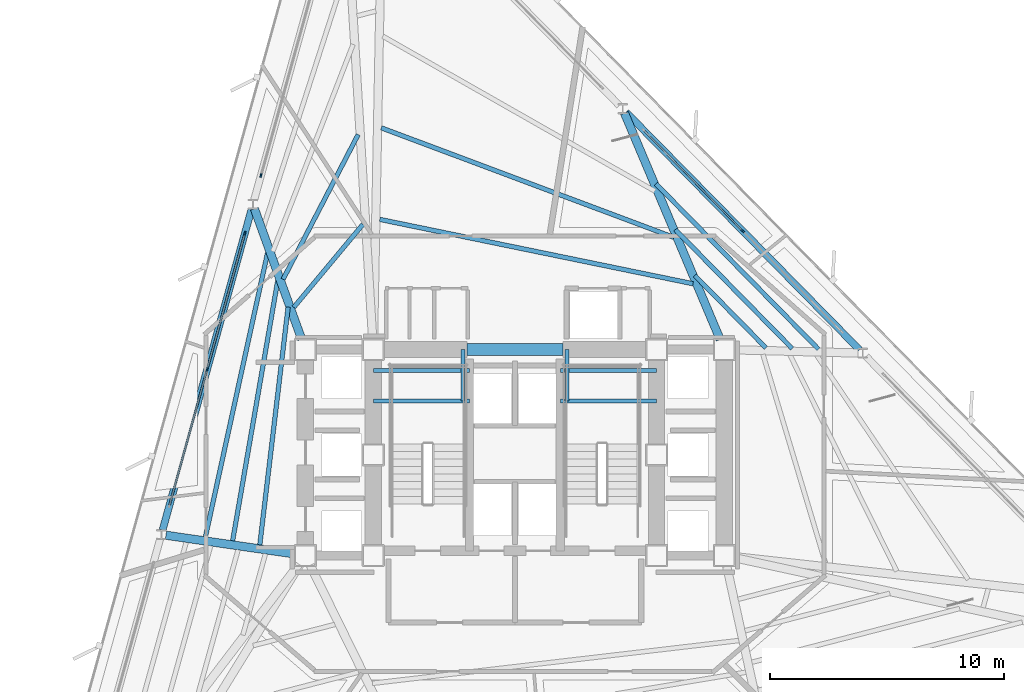
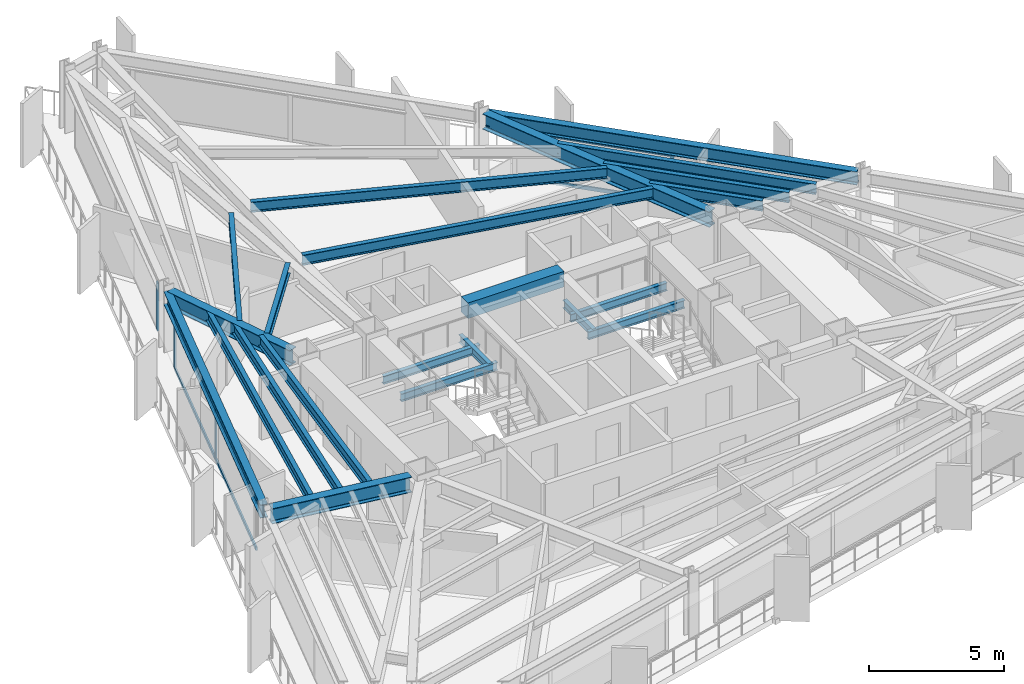
# One storey, part 3 of 11: 22 beams, 10 members, 3 elements without a shape of their own.
"""IFC4 building model written with IfcOpenShell, lengths in metres."""

from ifc_helpers import new_model, si_unit, direction, frame, origin, origin_2d, place, context, subcontext, project, spatial, rectangle, i_section, extrude, material, layer, layer_set, material_profile, profile_set, type_object, element, aggregate, save


model = new_model("IFC4")

# Units and contexts
model_context = context("Model", 3, precision=1e-05, world=origin(), true_north=direction((0.0, 1.0)))
body_context = subcontext(model_context, "Body", "Model", "MODEL_VIEW")
ifc_project = project(units=[si_unit("LENGTHUNIT", "METRE"), si_unit("AREAUNIT", "SQUARE_METRE"), si_unit("VOLUMEUNIT", "CUBIC_METRE"), si_unit("PLANEANGLEUNIT", "RADIAN"), si_unit("MASSUNIT", "GRAM", prefix="KILO")], contexts=[model_context])

# Site, building, storey
site_placement = place(None, origin())
site = spatial("IfcSite", under=ifc_project, at=site_placement, CompositionType="ELEMENT")
building_placement = place(site_placement, origin())
building = spatial("IfcBuilding", under=site, at=building_placement, Name="Rocaltana Carrier Exchange", CompositionType="ELEMENT")
storey_placement = place(building_placement, frame((0.0, 0.0, 91.679931640625)))
storey = spatial("IfcBuildingStorey", under=building, at=storey_placement, Name="L28", CompositionType="ELEMENT", Elevation=91.679931640625)

# Curtain wall, member
ifc_material_1 = material(Name="Aluminium 6063-T6", Category="aluminium")
ifc_layer = layer(ifc_material_1, 0.1650390625)
ifc_layer_set = layer_set([ifc_layer], Name="Aluminium 6063-T6")
curtain_wall_type = type_object("IfcCurtainWallType", Name="Lower-Mid Stepped Curtain Wall CW-02", PredefinedType="NOTDEFINED", material=ifc_layer_set)
curtain_wall_1_placement = place(storey_placement, origin())
curtain_wall_1 = element("IfcCurtainWall", 1, at=curtain_wall_1_placement, inside=storey, type_object=curtain_wall_type, Name="L28 CW-02 Run CW-L28-F1S2", PredefinedType="NOTDEFINED")
ifc_material_2 = material(Name="Aluminium 6063-T6", Category="aluminium")
ifc_material_profile_1 = material_profile(ifc_material_2, rectangle(XDim=0.06494140625, YDim=0.1650390625, at=origin_2d()), Name="AL-65X165")
ifc_profile_set_1 = profile_set([ifc_material_profile_1], Name="Aluminium 6063-T6")
member_type_1 = type_object("IfcMemberType", Name="CW-02 Mullion AL-65X165", PredefinedType="MULLION", material=ifc_profile_set_1)
member_1_placement = place(storey_placement, frame((9.732666015625, 9.564453125, 0.0), z_axis=(0.0, 0.0, 1.0), x_axis=(-0.713244696676, -0.700915118017, 0.0)))
member_1 = element("IfcMember", 2, at=member_1_placement, type_object=member_type_1, Name="CW-02 mullion 2", PredefinedType="MULLION", context=body_context, shape_type="SweptSolid", body=[
    extrude(rectangle(XDim=0.06494140625, YDim=0.1650390625, at=origin_2d()), origin(), (0.0, 0.0, 1.0), 2.16796875),
])

curtain_wall_2_placement = place(storey_placement, origin())
curtain_wall_2 = element("IfcCurtainWall", 3, at=curtain_wall_2_placement, inside=storey, type_object=curtain_wall_type, Name="L28 CW-02 Run CW-L28-F2S1", PredefinedType="NOTDEFINED")
member_2_placement = place(storey_placement, frame((-10.851318359375, 11.93310546875, 0.0), z_axis=(0.0, 0.0, 1.0), x_axis=(0.96362846453, -0.267245546918, 0.0)))
member_2 = element("IfcMember", 4, at=member_2_placement, type_object=member_type_1, Name="CW-02 mullion 3", PredefinedType="MULLION", context=body_context, shape_type="SweptSolid", body=[
    extrude(rectangle(XDim=0.06494140625, YDim=0.1650390625, at=origin_2d()), origin(), (0.0, 0.0, 1.0), 2.16796875),
])
aggregate(curtain_wall_2, [member_2])

# Curtain wall, members
curtain_wall_3_placement = place(storey_placement, origin())
curtain_wall_3 = element("IfcCurtainWall", 5, at=curtain_wall_3_placement, inside=storey, type_object=curtain_wall_type, Name="L28 CW-02 Run CW-L28-F2S2", PredefinedType="NOTDEFINED")
member_3_placement = place(storey_placement, frame((-11.536865234375, 9.46142578125, 0.0), z_axis=(0.0, 0.0, 1.0), x_axis=(0.963630586954, -0.267237893807, 0.0)))
member_3 = element("IfcMember", 6, at=member_3_placement, type_object=member_type_1, Name="CW-02 mullion 1", PredefinedType="MULLION", context=body_context, shape_type="SweptSolid", body=[
    extrude(rectangle(XDim=0.06494140625, YDim=0.1650390625, at=origin_2d()), origin(), (0.0, 0.0, 1.0), 2.16796875),
])
member_4_placement = place(storey_placement, frame((-13.1494140625, 3.646728515625, 0.0), z_axis=(0.0, 0.0, 1.0), x_axis=(0.963630586954, -0.267237893807, 0.0)))
member_4 = element("IfcMember", 7, at=member_4_placement, type_object=member_type_1, Name="CW-02 mullion 2", PredefinedType="MULLION", context=body_context, shape_type="SweptSolid", body=[
    extrude(rectangle(XDim=0.06494140625, YDim=0.1650390625, at=origin_2d()), origin(), (0.0, 0.0, 1.0), 2.16796875),
])

# Member
ifc_material_3 = material(Name="Aluminium 6063-T6", Category="aluminium")
ifc_material_profile_2 = material_profile(ifc_material_3, rectangle(XDim=0.06494140625, YDim=0.1650390625, at=origin_2d()), Name="AL-65X165")
ifc_profile_set_2 = profile_set([ifc_material_profile_2], Name="Aluminium 6063-T6")
member_type_2 = type_object("IfcMemberType", Name="CW-02 Transom AL-65X165", PredefinedType="USERDEFINED", material=ifc_profile_set_2)
member_5_placement = place(storey_placement, frame((9.7099609375, 9.587646484375, 0.032470703125), z_axis=(-0.700924352217, 0.713235621985, 0.0), x_axis=(-0.713235621985, -0.700924352217, 0.0)))
member_5 = element("IfcMember", 8, at=member_5_placement, type_object=member_type_2, Name="CW-02 transom 2.1", ObjectType="TRANSOM", PredefinedType="USERDEFINED", context=body_context, shape_type="SweptSolid", body=[
    extrude(rectangle(XDim=0.06494140625, YDim=0.1650390625, at=origin_2d()), origin(), (0.0, 0.0, 1.0), 5.968994140625),
])

member_6_placement = place(storey_placement, frame((9.7099609375, 9.587646484375, 2.135498046875), z_axis=(-0.700924352217, 0.713235621985, 0.0), x_axis=(-0.713235621985, -0.700924352217, 0.0)))
member_6 = element("IfcMember", 9, at=member_6_placement, type_object=member_type_2, Name="CW-02 transom 2.2", ObjectType="TRANSOM", PredefinedType="USERDEFINED", context=body_context, shape_type="SweptSolid", body=[
    extrude(rectangle(XDim=0.06494140625, YDim=0.1650390625, at=origin_2d()), origin(), (0.0, 0.0, 1.0), 5.968994140625),
])

aggregate(curtain_wall_1, [member_1, member_5, member_6])

member_7_placement = place(storey_placement, frame((-11.54541015625, 9.43017578125, 0.032470703125), z_axis=(-0.267236720875, -0.963630912235, 0.0), x_axis=(0.963630912235, -0.267236720875, 0.0)))
member_7 = element("IfcMember", 10, at=member_7_placement, type_object=member_type_2, Name="CW-02 transom 1.1", ObjectType="TRANSOM", PredefinedType="USERDEFINED", context=body_context, shape_type="SweptSolid", body=[
    extrude(rectangle(XDim=0.06494140625, YDim=0.1650390625, at=origin_2d()), origin(), (0.0, 0.0, 1.0), 5.96923828125),
])

member_8_placement = place(storey_placement, frame((-11.54541015625, 9.43017578125, 2.135498046875), z_axis=(-0.267236720875, -0.963630912235, 0.0), x_axis=(0.963630912235, -0.267236720875, 0.0)))
member_8 = element("IfcMember", 11, at=member_8_placement, type_object=member_type_2, Name="CW-02 transom 1.2", ObjectType="TRANSOM", PredefinedType="USERDEFINED", context=body_context, shape_type="SweptSolid", body=[
    extrude(rectangle(XDim=0.06494140625, YDim=0.1650390625, at=origin_2d()), origin(), (0.0, 0.0, 1.0), 5.96923828125),
])

member_9_placement = place(storey_placement, frame((-13.157958984375, 3.615234375, 0.032470703125), z_axis=(-0.26724725359, -0.963627991213, 0.0), x_axis=(0.963627991213, -0.26724725359, 0.0)))
member_9 = element("IfcMember", 12, at=member_9_placement, type_object=member_type_2, Name="CW-02 transom 2.1", ObjectType="TRANSOM", PredefinedType="USERDEFINED", context=body_context, shape_type="SweptSolid", body=[
    extrude(rectangle(XDim=0.06494140625, YDim=0.1650390625, at=origin_2d()), origin(), (0.0, 0.0, 1.0), 5.968994140625),
])

member_10_placement = place(storey_placement, frame((-13.157958984375, 3.615234375, 2.135498046875), z_axis=(-0.26724725359, -0.963627991213, 0.0), x_axis=(0.963627991213, -0.26724725359, 0.0)))
member_10 = element("IfcMember", 13, at=member_10_placement, type_object=member_type_2, Name="CW-02 transom 2.2", ObjectType="TRANSOM", PredefinedType="USERDEFINED", context=body_context, shape_type="SweptSolid", body=[
    extrude(rectangle(XDim=0.06494140625, YDim=0.1650390625, at=origin_2d()), origin(), (0.0, 0.0, 1.0), 5.968994140625),
])

aggregate(curtain_wall_3, [member_3, member_4, member_7, member_8, member_9, member_10])

# Beams
ifc_material_4 = material(Name="Concrete C60/75", Category="concrete")
ifc_material_profile_3 = material_profile(ifc_material_4, rectangle(XDim=0.5, YDim=0.699951171875, at=origin_2d()), Name="RC-BM-500X700")
ifc_profile_set_3 = profile_set([ifc_material_profile_3], Name="Concrete C60/75")
beam_type_1 = type_object("IfcBeamType", Name="Core Coupling Lintel 500x700", PredefinedType="LINTEL", material=ifc_profile_set_3)
beam_1_placement = place(storey_placement, frame((-2.050048828125, 4.5, 2.43798828125), z_axis=(1.0, 0.0, 0.0), x_axis=(0.0, 1.0, 0.0)))
element("IfcBeam", 14, at=beam_1_placement, inside=storey, type_object=beam_type_1, Name="L28 Core Coupling Lintel CL-N", PredefinedType="LINTEL", context=body_context, shape_type="SweptSolid", body=[
    extrude(rectangle(XDim=0.5, YDim=0.699951171875, at=origin_2d()), origin(), (0.0, 0.0, 1.0), 4.10009765625),
])
ifc_material_5 = material(Name="Steel S355", Category="steel")
ifc_material_profile_4 = material_profile(ifc_material_5, i_section(OverallWidth=0.172119140625, OverallDepth=0.35791015625, WebThickness=0.0078125, FlangeThickness=0.01318359375, FilletRadius=0.011962890625, at=origin_2d()), Name="W14X38")
ifc_profile_set_4 = profile_set([ifc_material_profile_4], Name="Steel S355")
beam_type_2 = type_object("IfcBeamType", Name="Floor Joist W14X38", PredefinedType="JOIST", material=ifc_profile_set_4)
for number, where, z_axis, x_axis, name in (
    (15, (-6.050048828125, 2.300048828125, 1.14111328125), (1.0, 0.0, 0.0), (0.0, 1.0, 0.0), "L28 ST-1 Landing Carrier 1"),
    (16, (1.93994140625, 2.300048828125, 1.14111328125), (1.0, 0.0, 0.0), (0.0, 1.0, 0.0), "L28 ST-2 Landing Carrier 1"),
    (17, (-6.050048828125, 3.60009765625, 1.14111328125), (1.0, 0.0, 0.0), (0.0, 1.0, 0.0), "L28 ST-1 Landing Carrier 2"),
    (18, (1.93994140625, 3.60009765625, 1.14111328125), (1.0, 0.0, 0.0), (0.0, 1.0, 0.0), "L28 ST-2 Landing Carrier 2"),
):
    element("IfcBeam", number, at=place(storey_placement, frame(where, z_axis=z_axis, x_axis=x_axis)), inside=storey, type_object=beam_type_2, Name=name, PredefinedType="JOIST", context=body_context, shape_type="SweptSolid", body=[
        extrude(i_section(OverallWidth=0.172119140625, OverallDepth=0.35791015625, WebThickness=0.0078125, FlangeThickness=0.01318359375, FilletRadius=0.011962890625, at=origin_2d()), origin(), (0.0, 0.0, 1.0), 4.110107421875),
    ])
for number, where, z_axis, x_axis, name in (
    (19, (-2.219970703125, 2.300048828125, 1.14111328125), (0.0, 1.0, 0.0), (-1.0, 0.0, 0.0), "L28 ST-1 Landing Cross Trimmer"),
    (20, (2.219970703125, 2.300048828125, 1.14111328125), (0.0, 1.0, 0.0), (-1.0, 0.0, 0.0), "L28 ST-2 Landing Cross Trimmer"),
):
    element("IfcBeam", number, at=place(storey_placement, frame(where, z_axis=z_axis, x_axis=x_axis)), inside=storey, type_object=beam_type_2, Name=name, PredefinedType="JOIST", context=body_context, shape_type="SweptSolid", body=[
        extrude(i_section(OverallWidth=0.172119140625, OverallDepth=0.35791015625, WebThickness=0.0078125, FlangeThickness=0.01318359375, FilletRadius=0.011962890625, at=origin_2d()), origin(), (0.0, 0.0, 1.0), 2.199951171875),
    ])
ifc_material_6 = material(Name="Steel S355", Category="steel")
ifc_material_profile_5 = material_profile(ifc_material_6, i_section(OverallWidth=0.193115234375, OverallDepth=0.466064453125, WebThickness=0.011474609375, FlangeThickness=0.01904296875, FilletRadius=0.013916015625, at=origin_2d()), Name="W18X65")
ifc_profile_set_5 = profile_set([ifc_material_profile_5], Name="Steel S355")
beam_type_3 = type_object("IfcBeamType", Name="Floor Joist W18X65", PredefinedType="JOIST", material=ifc_profile_set_5)
beam_2_placement = place(storey_placement, frame((10.72119140625, 4.572998046875, 2.55517578125), z_axis=(-0.700891063864, 0.713268334216, 0.0), x_axis=(-0.713268334216, -0.700891063864, 0.0)))
element("IfcBeam", 21, at=beam_2_placement, inside=storey, type_object=beam_type_3, Name="FJ-L28-02-1", PredefinedType="JOIST", context=body_context, shape_type="SweptSolid", body=[
    extrude(i_section(OverallWidth=0.193115234375, OverallDepth=0.466064453125, WebThickness=0.011474609375, FlangeThickness=0.01904296875, FilletRadius=0.013916015625, at=origin_2d()), origin(), (0.0, 0.0, 1.0), 4.339599609375),
])
beam_3_placement = place(storey_placement, frame((11.844482421875, 4.543701171875, 2.55517578125), z_axis=(-0.700907768136, 0.713251919427, 0.0), x_axis=(-0.713251919427, -0.700907768136, 0.0)))
element("IfcBeam", 22, at=beam_3_placement, inside=storey, type_object=beam_type_3, Name="FJ-L28-02-2", PredefinedType="JOIST", context=body_context, shape_type="SweptSolid", body=[
    extrude(i_section(OverallWidth=0.193115234375, OverallDepth=0.466064453125, WebThickness=0.011474609375, FlangeThickness=0.01904296875, FilletRadius=0.013916015625, at=origin_2d()), origin(), (0.0, 0.0, 1.0), 7.1201171875),
])
beam_4_placement = place(storey_placement, frame((12.967529296875, 4.514404296875, 2.55517578125), z_axis=(-0.700914872746, 0.713244937706, 0.0), x_axis=(-0.713244937706, -0.700914872746, 0.0)))
element("IfcBeam", 23, at=beam_4_placement, inside=storey, type_object=beam_type_3, Name="FJ-L28-02-3", PredefinedType="JOIST", context=body_context, shape_type="SweptSolid", body=[
    extrude(i_section(OverallWidth=0.193115234375, OverallDepth=0.466064453125, WebThickness=0.011474609375, FlangeThickness=0.01904296875, FilletRadius=0.013916015625, at=origin_2d()), origin(), (0.0, 0.0, 1.0), 9.900146484375),
])
beam_5_placement = place(storey_placement, frame((7.608642578125, 7.310791015625, 2.55517578125), z_axis=(-0.979548911699, 0.201206186758, 0.0), x_axis=(-0.201206186758, -0.979548911699, 0.0)))
element("IfcBeam", 24, at=beam_5_placement, inside=storey, type_object=beam_type_3, Name="FJ-L28-03-1", PredefinedType="JOIST", context=body_context, shape_type="SweptSolid", body=[
    extrude(i_section(OverallWidth=0.193115234375, OverallDepth=0.466064453125, WebThickness=0.011474609375, FlangeThickness=0.01904296875, FilletRadius=0.013916015625, at=origin_2d()), origin(), (0.0, 0.0, 1.0), 13.66259765625),
])
beam_6_placement = place(storey_placement, frame((6.790283203125, 9.290283203125, 2.55517578125), z_axis=(-0.936459936045, 0.35077455464, 0.0), x_axis=(-0.35077455464, -0.936459936045, 0.0)))
element("IfcBeam", 25, at=beam_6_placement, inside=storey, type_object=beam_type_3, Name="FJ-L28-03-2", PredefinedType="JOIST", context=body_context, shape_type="SweptSolid", body=[
    extrude(i_section(OverallWidth=0.193115234375, OverallDepth=0.466064453125, WebThickness=0.011474609375, FlangeThickness=0.01904296875, FilletRadius=0.013916015625, at=origin_2d()), origin(), (0.0, 0.0, 1.0), 13.344482421875),
])
beam_7_placement = place(storey_placement, frame((-6.492919921875, 9.848876953125, 2.55517578125), z_axis=(-0.640163577039, -0.768238631307, 0.0), x_axis=(0.768238631307, -0.640163577039, 0.0)))
element("IfcBeam", 26, at=beam_7_placement, inside=storey, type_object=beam_type_3, Name="FJ-L28-05-1", PredefinedType="JOIST", context=body_context, shape_type="SweptSolid", body=[
    extrude(i_section(OverallWidth=0.193115234375, OverallDepth=0.466064453125, WebThickness=0.011474609375, FlangeThickness=0.01904296875, FilletRadius=0.013916015625, at=origin_2d()), origin(), (0.0, 0.0, 1.0), 4.613037109375),
])
beam_8_placement = place(storey_placement, frame((-6.6962890625, 13.68505859375, 2.55517578125), z_axis=(-0.46048496637, -0.887667502924, 0.0), x_axis=(0.887667502924, -0.46048496637, 0.0)))
element("IfcBeam", 27, at=beam_8_placement, inside=storey, type_object=beam_type_3, Name="FJ-L28-05-2", PredefinedType="JOIST", context=body_context, shape_type="SweptSolid", body=[
    extrude(i_section(OverallWidth=0.193115234375, OverallDepth=0.466064453125, WebThickness=0.011474609375, FlangeThickness=0.01904296875, FilletRadius=0.013916015625, at=origin_2d()), origin(), (0.0, 0.0, 1.0), 6.96435546875),
])
beam_9_placement = place(storey_placement, frame((-9.6884765625, 6.312744140625, 2.55517578125), z_axis=(-0.118374284941, -0.992969047184, 0.0), x_axis=(0.992969047184, -0.118374284941, 0.0)))
element("IfcBeam", 28, at=beam_9_placement, inside=storey, type_object=beam_type_3, Name="FJ-L28-06-1", PredefinedType="JOIST", context=body_context, shape_type="SweptSolid", body=[
    extrude(i_section(OverallWidth=0.193115234375, OverallDepth=0.466064453125, WebThickness=0.011474609375, FlangeThickness=0.01904296875, FilletRadius=0.013916015625, at=origin_2d()), origin(), (0.0, 0.0, 1.0), 10.227783203125),
])
beam_10_placement = place(storey_placement, frame((-10.123779296875, 7.49169921875, 2.55517578125), z_axis=(-0.170820187973, -0.985302219312, 0.0), x_axis=(0.985302219312, -0.170820187973, 0.0)))
element("IfcBeam", 29, at=beam_10_placement, inside=storey, type_object=beam_type_3, Name="FJ-L28-06-2", PredefinedType="JOIST", context=body_context, shape_type="SweptSolid", body=[
    extrude(i_section(OverallWidth=0.193115234375, OverallDepth=0.466064453125, WebThickness=0.011474609375, FlangeThickness=0.01904296875, FilletRadius=0.013916015625, at=origin_2d()), origin(), (0.0, 0.0, 1.0), 11.332275390625),
])
beam_11_placement = place(storey_placement, frame((-10.5576171875, 8.67041015625, 2.55517578125), z_axis=(-0.213747702255, -0.976888898381, 0.0), x_axis=(0.976888898381, -0.213747702255, 0.0)))
element("IfcBeam", 30, at=beam_11_placement, inside=storey, type_object=beam_type_3, Name="FJ-L28-06-3", PredefinedType="JOIST", context=body_context, shape_type="SweptSolid", body=[
    extrude(i_section(OverallWidth=0.193115234375, OverallDepth=0.466064453125, WebThickness=0.011474609375, FlangeThickness=0.01904296875, FilletRadius=0.013916015625, at=origin_2d()), origin(), (0.0, 0.0, 1.0), 12.463623046875),
])
ifc_material_7 = material(Name="Steel S355", Category="steel")
ifc_material_profile_6 = material_profile(ifc_material_7, i_section(OverallWidth=0.35498046875, OverallDepth=0.695068359375, WebThickness=0.015380859375, FlangeThickness=0.02490234375, FilletRadius=0.01806640625, at=origin_2d()), Name="W27X146")
ifc_profile_set_6 = profile_set([ifc_material_profile_6], Name="Steel S355")
beam_type_4 = type_object("IfcBeamType", Name="Radial Girder W27X146", PredefinedType="BEAM", material=ifc_profile_set_6)
beam_12_placement = place(storey_placement, frame((8.768310546875, 4.93017578125, 2.440673828125), z_axis=(-0.389283409267, 0.921118031128, 0.0), x_axis=(-0.921118031128, -0.389283409267, 0.0)))
element("IfcBeam", 31, at=beam_12_placement, inside=storey, type_object=beam_type_4, Name="RG-L28-03", PredefinedType="BEAM", context=body_context, shape_type="SweptSolid", body=[
    extrude(i_section(OverallWidth=0.35498046875, OverallDepth=0.695068359375, WebThickness=0.015380859375, FlangeThickness=0.02490234375, FilletRadius=0.01806640625, at=origin_2d()), origin(), (0.0, 0.0, 1.0), 10.49853515625),
])
beam_13_placement = place(storey_placement, frame((-9.10888671875, 4.939208984375, 2.440673828125), z_axis=(-0.340508906611, 0.940241290584, 0.0), x_axis=(-0.940241290584, -0.340508906611, 0.0)))
element("IfcBeam", 32, at=beam_13_placement, inside=storey, type_object=beam_type_4, Name="RG-L28-06", PredefinedType="BEAM", context=body_context, shape_type="SweptSolid", body=[
    extrude(i_section(OverallWidth=0.35498046875, OverallDepth=0.695068359375, WebThickness=0.015380859375, FlangeThickness=0.02490234375, FilletRadius=0.01806640625, at=origin_2d()), origin(), (0.0, 0.0, 1.0), 5.92578125),
])
beam_14_placement = place(storey_placement, frame((-9.412109375, -4.232666015625, 2.440673828125), z_axis=(-0.989566167389, 0.144079146162, 0.0), x_axis=(-0.144079146162, -0.989566167389, 0.0)))
element("IfcBeam", 33, at=beam_14_placement, inside=storey, type_object=beam_type_4, Name="RG-L28-07", PredefinedType="BEAM", context=body_context, shape_type="SweptSolid", body=[
    extrude(i_section(OverallWidth=0.35498046875, OverallDepth=0.695068359375, WebThickness=0.015380859375, FlangeThickness=0.02490234375, FilletRadius=0.01806640625, at=origin_2d()), origin(), (0.0, 0.0, 1.0), 5.554443359375),
])
ifc_material_8 = material(Name="Steel S355", Category="steel")
ifc_material_profile_7 = material_profile(ifc_material_8, i_section(OverallWidth=0.300048828125, OverallDepth=0.60009765625, WebThickness=0.015380859375, FlangeThickness=0.030029296875, FilletRadius=0.027099609375, at=origin_2d()), Name="HEB600")
ifc_profile_set_7 = profile_set([ifc_material_profile_7], Name="Steel S355")
beam_type_5 = type_object("IfcBeamType", Name="Spandrel Edge Beam HEB600", PredefinedType="SPANDREL", material=ifc_profile_set_7)
beam_15_placement = place(storey_placement, frame((14.722412109375, 4.48681640625, 2.488037109375), z_axis=(-0.700906711307, 0.713252957965, 0.0), x_axis=(-0.713252957965, -0.700906711307, 0.0)))
element("IfcBeam", 34, at=beam_15_placement, inside=storey, type_object=beam_type_5, Name="SP-L28-02", PredefinedType="SPANDREL", context=body_context, shape_type="SweptSolid", body=[
    extrude(i_section(OverallWidth=0.300048828125, OverallDepth=0.60009765625, WebThickness=0.015380859375, FlangeThickness=0.030029296875, FilletRadius=0.027099609375, at=origin_2d()), origin(), (0.0, 0.0, 1.0), 14.237548828125),
])
beam_16_placement = place(storey_placement, frame((-11.2470703125, 10.50634765625, 2.488037109375), z_axis=(-0.267234351395, -0.963631569343, 0.0), x_axis=(0.963631569343, -0.267234351395, 0.0)))
element("IfcBeam", 35, at=beam_16_placement, inside=storey, type_object=beam_type_5, Name="SP-L28-06", PredefinedType="SPANDREL", context=body_context, shape_type="SweptSolid", body=[
    extrude(i_section(OverallWidth=0.300048828125, OverallDepth=0.60009765625, WebThickness=0.015380859375, FlangeThickness=0.030029296875, FilletRadius=0.027099609375, at=origin_2d()), origin(), (0.0, 0.0, 1.0), 14.2373046875),
])

save(model, "model.ifc")
